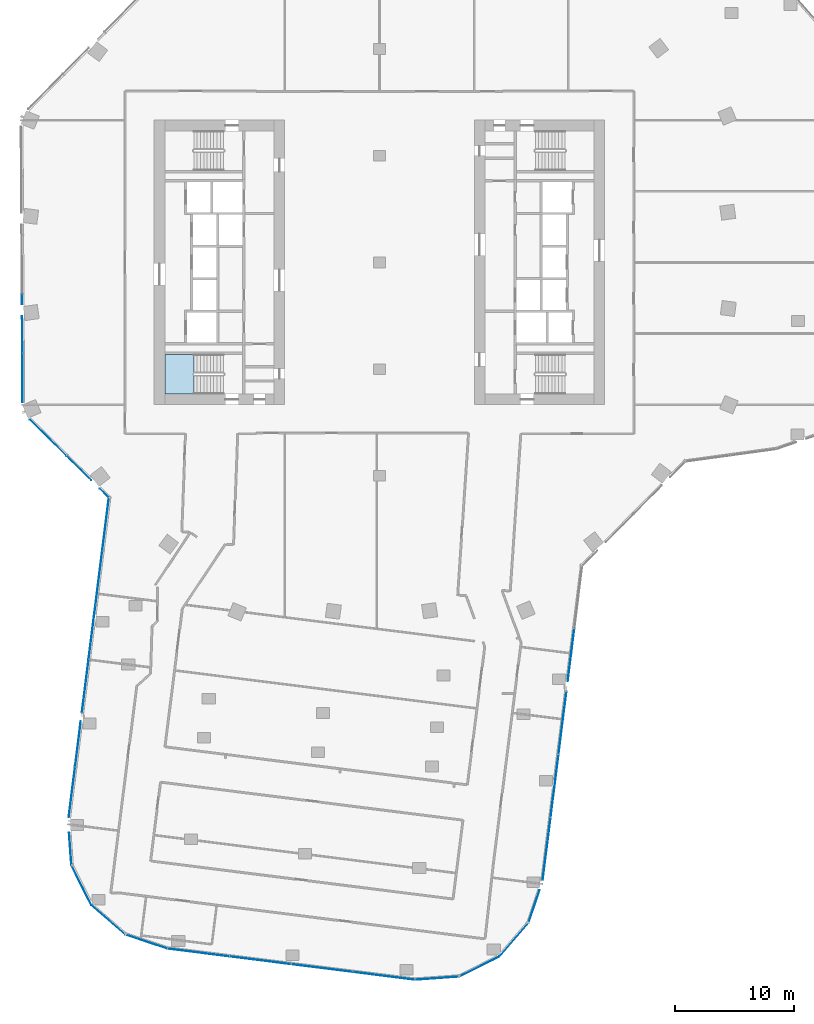
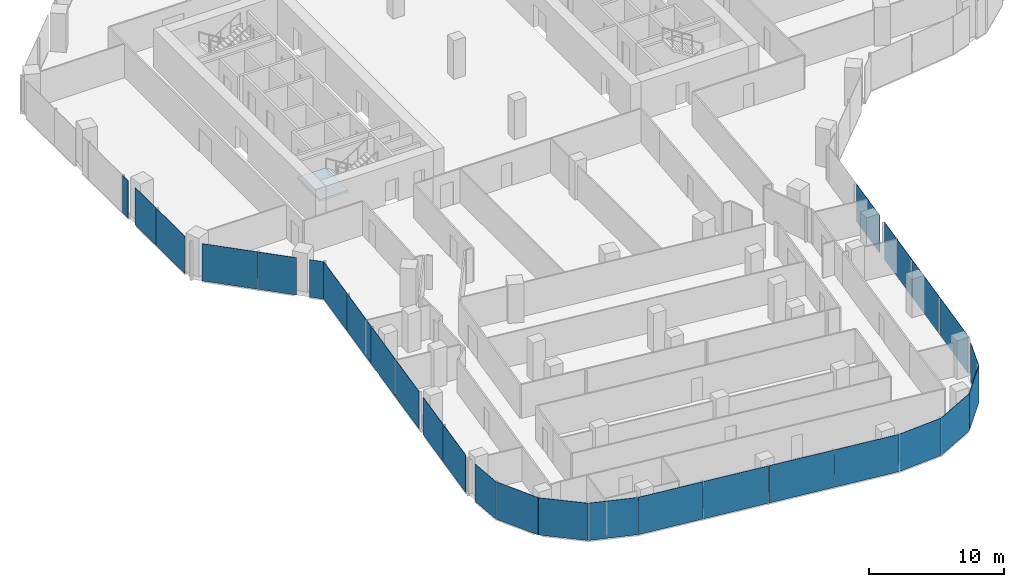
# One storey, part 13 of 27: 28 plates, 1 slab, 14 elements without a shape of their own.
"""IFC4 building model written with IfcOpenShell, lengths in metres."""

import ifcopenshell
import ifcopenshell.guid

model = None  # the IFC model being written
_history = None  # IfcOwnerHistory: only IFC2X3 demands one
_inside = {}  # id of a spatial element -> (the spatial element, [elements in it])
_under = {}  # id of a project, library or spatial element -> (it, [spatial elements below it])
_declared = {}  # id of a project -> (the project, [libraries it declares])
_typed = {}  # id of a type object -> (the type object, [elements of that type])
_made_of = {}  # id of a material, layer set ... -> (it, [elements and type objects made of it])


def new_model(schema):
    """Start an empty IFC model of exactly this schema.

    Asked for "IFC4X3", IfcOpenShell would pick the latest addendum, in which some entities
    have other attributes; the version numbers below select the first issue.
    IFC2X3 requires an IfcOwnerHistory on every rooted entity: one is made here for all.
    """
    global model, _history
    if schema == "IFC4X3":
        model = ifcopenshell.file(schema_version=(4, 3, 0, 0))
    else:
        model = ifcopenshell.file(schema=schema)
    _inside.clear()
    _under.clear()
    _declared.clear()
    _typed.clear()
    _made_of.clear()
    _history = None
    if model.schema == "IFC2X3":
        org = make("IfcOrganization", Name="unknown")
        user = make(
            "IfcPersonAndOrganization",
            ThePerson=make("IfcPerson", FamilyName="unknown"),
            TheOrganization=org,
        )
        app = make(
            "IfcApplication",
            ApplicationDeveloper=org,
            Version="unknown",
            ApplicationFullName="unknown",
            ApplicationIdentifier="unknown",
        )
        _history = make(
            "IfcOwnerHistory",
            OwningUser=user,
            OwningApplication=app,
            ChangeAction="ADDED",
            CreationDate=0,
        )
    return model


def make(cls, **values):
    """One entity of the class cls with the attributes given. An attribute that is None is left unset."""
    return model.create_entity(
        cls, **{name: value for name, value in values.items() if value is not None}
    )


def rooted(cls, **values):
    """An entity with a GlobalId (a new one), such as an element, a storey or a relation."""
    return make(cls, GlobalId=ifcopenshell.guid.new(), OwnerHistory=_history, **values)


def si_unit(unit_type, name, prefix=None):
    """IfcSIUnit, for example si_unit("LENGTHUNIT", "METRE", prefix="MILLI")."""
    return make("IfcSIUnit", UnitType=unit_type, Prefix=prefix, Name=name)


def assignment(units):
    """IfcUnitAssignment: the units of a project."""
    return None if units is None else make("IfcUnitAssignment", Units=units)


def point(xyz):
    """IfcCartesianPoint."""
    return None if xyz is None else make("IfcCartesianPoint", Coordinates=xyz)


def direction(xyz):
    """IfcDirection."""
    return None if xyz is None else make("IfcDirection", DirectionRatios=xyz)


def frame(location, z_axis=None, x_axis=None):
    """IfcAxis2Placement3D, a coordinate frame: its origin and axes. An axis left out is left unset."""
    return make(
        "IfcAxis2Placement3D",
        Location=point(location),
        Axis=direction(z_axis),
        RefDirection=direction(x_axis),
    )


def frame_2d(location, x_axis=None):
    """IfcAxis2Placement2D, a coordinate frame in the plane: its origin and x axis."""
    return make(
        "IfcAxis2Placement2D", Location=point(location), RefDirection=direction(x_axis)
    )


def origin():
    """The frame at (0, 0, 0) with its axes left unset."""
    return frame((0.0, 0.0, 0.0))


def origin_2d():
    """The frame at (0, 0) in the plane with its x axis left unset."""
    return frame_2d((0.0, 0.0))


def place(relative_to, where):
    """IfcLocalPlacement: puts the frame where relative to a parent placement (None: the world)."""
    return make(
        "IfcLocalPlacement", PlacementRelTo=relative_to, RelativePlacement=where
    )


def context(
    kind, dimensions, precision=None, world=None, true_north=None, identifier=None
):
    """IfcGeometricRepresentationContext, for example the 3D "Model" context."""
    return make(
        "IfcGeometricRepresentationContext",
        ContextIdentifier=identifier,
        ContextType=kind,
        CoordinateSpaceDimension=dimensions,
        Precision=precision,
        WorldCoordinateSystem=world,
        TrueNorth=true_north,
    )


def subcontext(parent, identifier, kind, view, scale=None):
    """IfcGeometricRepresentationSubContext, for example "Body" below "Model"."""
    return make(
        "IfcGeometricRepresentationSubContext",
        ContextIdentifier=identifier,
        ContextType=kind,
        ParentContext=parent,
        TargetScale=scale,
        TargetView=view,
    )


def project(units=None, contexts=None):
    """IfcProject with its units and contexts."""
    return rooted(
        "IfcProject",
        Name="project",
        RepresentationContexts=contexts,
        UnitsInContext=assignment(units),
    )


def spatial(cls, under=None, at=None, **own):
    """A site, building, storey or space (cls), placed at a placement, below another one or the project."""
    s = rooted(cls, ObjectPlacement=at, **own)
    if under is not None:
        _under.setdefault(under.id(), (under, []))[1].append(s)
    return s


def polyline(points):
    """IfcPolyline through the points."""
    return make("IfcPolyline", Points=[point(p) for p in points])


def profile(cls, at=None, kind="AREA", **sizes):
    """A parametric profile (cls). Its sizes go by their IFC names, for example OverallWidth=200.0."""
    return make(cls, ProfileType=kind, Position=at, **sizes)


def rectangle(**sizes):
    """IfcRectangleProfileDef."""
    return profile("IfcRectangleProfileDef", **sizes)


def outline(outer, holes=None, kind="AREA"):
    """IfcArbitraryClosedProfileDef: a profile drawn as a closed curve; with holes, ...WithVoids."""
    if holes is None:
        return make("IfcArbitraryClosedProfileDef", ProfileType=kind, OuterCurve=outer)
    return make(
        "IfcArbitraryProfileDefWithVoids",
        ProfileType=kind,
        OuterCurve=outer,
        InnerCurves=holes,
    )


def extrude(swept, where, along, depth):
    """IfcExtrudedAreaSolid: the profile swept, set in the frame where, extruded along a direction by depth."""
    return make(
        "IfcExtrudedAreaSolid",
        SweptArea=swept,
        Position=where,
        ExtrudedDirection=direction(along),
        Depth=depth,
    )


def shape(context_of_items, identifier, shape_type, items):
    """IfcShapeRepresentation: the items that make up one representation, for example the "Body"."""
    return make(
        "IfcShapeRepresentation",
        ContextOfItems=context_of_items,
        RepresentationIdentifier=identifier,
        RepresentationType=shape_type,
        Items=items,
    )


def material(Name=None, Category=None):
    """IfcMaterial."""
    return make("IfcMaterial", Name=Name, Category=Category)


def layer(
    of_material, thickness, ventilated=None, Name=None, Category=None, Priority=None
):
    """IfcMaterialLayer: one layer of a wall or slab, of a material (None: an air gap)."""
    return make(
        "IfcMaterialLayer",
        Material=of_material,
        LayerThickness=thickness,
        IsVentilated=ventilated,
        Name=Name,
        Category=Category,
        Priority=Priority,
    )


def layer_set(layers, Name=None):
    """IfcMaterialLayerSet."""
    return make("IfcMaterialLayerSet", MaterialLayers=layers, LayerSetName=Name)


def made_of(thing, what):
    """Note that an element or type object is made of a material, layer set ...; save() writes the relation."""
    if what is not None:
        _made_of.setdefault(what.id(), (what, []))[1].append(thing)
    return thing


def type_object(cls, material=None, **own):
    """A type object (cls), such as IfcWallType, which elements share."""
    return made_of(rooted(cls, **own), material)


def element(
    cls,
    number,
    at=None,
    inside=None,
    cuts=None,
    type_object=None,
    material=None,
    context=None,
    identifier="Body",
    shape_type=None,
    held_by="IfcProductDefinitionShape",
    body=None,
    shapes=None,
    **own,
):
    """One element of the class cls, such as IfcWall. Its Tag is "e" and its number.

    at: its placement. inside: the storey or other place that contains it. cuts: it is an
    opening in that element (IfcRelVoidsElement). A single representation is given by context,
    identifier, shape_type and body (its items); several are given by shapes. held_by: the class
    of the entity that holds the representations. save() writes the other relations.
    """
    e = rooted(cls, Tag="e%d" % number, ObjectPlacement=at, **own)
    if body is not None:
        shapes = [shape(context, identifier, shape_type, body)]
    if shapes is not None:
        e.Representation = make(held_by, Representations=shapes)
    if inside is not None:
        _inside.setdefault(inside.id(), (inside, []))[1].append(e)
    if cuts is not None:
        rooted(
            "IfcRelVoidsElement", RelatingBuildingElement=cuts, RelatedOpeningElement=e
        )
    if type_object is not None:
        _typed.setdefault(type_object.id(), (type_object, []))[1].append(e)
    return made_of(e, material)


def aggregate(whole, parts):
    """IfcRelAggregates: a whole, such as a stair, and the parts it consists of."""
    return rooted("IfcRelAggregates", RelatingObject=whole, RelatedObjects=parts)


def save(model, path):
    """Write the relations noted so far, then the file.

    IfcRelAggregates (storeys below a building ...), IfcRelContainedInSpatialStructure (elements
    in a storey), IfcRelDefinesByType, IfcRelAssociatesMaterial and IfcRelDeclares: one each for
    every whole, place, type object, material and project.
    """
    for whole, parts in _under.values():
        aggregate(whole, parts)
    for where, things in _inside.values():
        rooted(
            "IfcRelContainedInSpatialStructure",
            RelatedElements=things,
            RelatingStructure=where,
        )
    for kind, things in _typed.values():
        rooted("IfcRelDefinesByType", RelatedObjects=things, RelatingType=kind)
    for what, things in _made_of.values():
        rooted("IfcRelAssociatesMaterial", RelatedObjects=things, RelatingMaterial=what)
    for by, libraries in _declared.values():
        rooted("IfcRelDeclares", RelatingContext=by, RelatedDefinitions=libraries)
    model.write(path)


model = new_model("IFC4")

# Units and contexts
model_context = context("Model", 3, precision=1e-05, world=origin(), true_north=direction((0.0, 1.0)))
body_context = subcontext(model_context, "Body", "Model", "MODEL_VIEW")
ifc_project = project(units=[si_unit("LENGTHUNIT", "METRE"), si_unit("AREAUNIT", "SQUARE_METRE"), si_unit("VOLUMEUNIT", "CUBIC_METRE"), si_unit("PLANEANGLEUNIT", "RADIAN"), si_unit("MASSUNIT", "GRAM", prefix="KILO")], contexts=[model_context])

# Site, building, storey
site_placement = place(None, origin())
site = spatial("IfcSite", under=ifc_project, at=site_placement, CompositionType="ELEMENT")
building_placement = place(site_placement, origin())
building = spatial("IfcBuilding", under=site, at=building_placement, Name="Orlundy Tower", CompositionType="ELEMENT")
storey_placement = place(building_placement, frame((0.0, 0.0, 195.60009765625)))
storey = spatial("IfcBuildingStorey", under=building, at=storey_placement, Name="L51", CompositionType="ELEMENT", Elevation=195.60009765625)

# Curtain wall, plates
ifc_material_1 = material(Name="Aluminium bronze anodised", Category="aluminium")
curtain_wall_type = type_object("IfcCurtainWallType", Name="CW1 wall", PredefinedType="NOTDEFINED", material=ifc_material_1)
curtain_wall_1_placement = place(storey_placement, origin())
curtain_wall_1 = element("IfcCurtainWall", 1, at=curtain_wall_1_placement, inside=storey, type_object=curtain_wall_type, Name="CW1 run 00", PredefinedType="NOTDEFINED")
ifc_material_2 = material(Name="Tinted glass", Category="glass")
ifc_layer_1 = layer(ifc_material_2, 0.031982421875)
ifc_layer_set_1 = layer_set([ifc_layer_1], Name="CW1 glass panel 32")
plate_type = type_object("IfcPlateType", Name="CW1 glass panel 32", PredefinedType="CURTAIN_PANEL", material=ifc_layer_set_1)
plate_1_placement = place(storey_placement, frame((-25.94189453125, -44.684814453125, -0.300048828125), z_axis=(0.0, 0.0, 1.0), x_axis=(0.124763360518, 0.992186526754, 0.0)))
plate_1 = element("IfcPlate", 2, at=plate_1_placement, type_object=plate_type, Name="CW1 panel", PredefinedType="CURTAIN_PANEL", context=body_context, shape_type="SweptSolid", body=[
    extrude(rectangle(XDim=4.27197265625, YDim=0.031982421875, at=origin_2d()), origin(), (0.0, 0.0, 1.0), 3.3798828125),
])
plate_2_placement = place(storey_placement, frame((-25.4306640625, -40.618896484375, -0.300048828125), z_axis=(0.0, 0.0, 1.0), x_axis=(0.124763360518, 0.992186526754, 0.0)))
plate_2 = element("IfcPlate", 3, at=plate_2_placement, type_object=plate_type, Name="CW1 panel", PredefinedType="CURTAIN_PANEL", context=body_context, shape_type="SweptSolid", body=[
    extrude(rectangle(XDim=3.823974609375, YDim=0.031982421875, at=origin_2d()), origin(), (0.0, 0.0, 1.0), 3.3798828125),
])
plate_3_placement = place(storey_placement, frame((-24.8134765625, -35.71142578125, -0.300048828125), z_axis=(0.0, 0.0, 1.0), x_axis=(0.124763360518, 0.992186526754, 0.0)))
plate_3 = element("IfcPlate", 4, at=plate_3_placement, type_object=plate_type, Name="CW1 panel", PredefinedType="CURTAIN_PANEL", context=body_context, shape_type="SweptSolid", body=[
    extrude(rectangle(XDim=4.53857421875, YDim=0.031982421875, at=origin_2d()), origin(), (0.0, 0.0, 1.0), 3.3798828125),
])
plate_4_placement = place(storey_placement, frame((-24.240966796875, -31.15869140625, -0.300048828125), z_axis=(0.0, 0.0, 1.0), x_axis=(0.124763360518, 0.992186526754, 0.0)))
plate_4 = element("IfcPlate", 5, at=plate_4_placement, type_object=plate_type, Name="CW1 panel", PredefinedType="CURTAIN_PANEL", context=body_context, shape_type="SweptSolid", body=[
    extrude(rectangle(XDim=4.53857421875, YDim=0.031982421875, at=origin_2d()), origin(), (0.0, 0.0, 1.0), 3.3798828125),
])
plate_5_placement = place(storey_placement, frame((-23.66845703125, -26.605712890625, -0.300048828125), z_axis=(0.0, 0.0, 1.0), x_axis=(0.124763360518, 0.992186526754, 0.0)))
plate_5 = element("IfcPlate", 6, at=plate_5_placement, type_object=plate_type, Name="CW1 panel", PredefinedType="CURTAIN_PANEL", context=body_context, shape_type="SweptSolid", body=[
    extrude(rectangle(XDim=4.53857421875, YDim=0.031982421875, at=origin_2d()), origin(), (0.0, 0.0, 1.0), 3.3798828125),
])
plate_6_placement = place(storey_placement, frame((-23.099365234375, -22.08056640625, -0.300048828125), z_axis=(0.0, 0.0, 1.0), x_axis=(0.124763360518, 0.992186526754, 0.0)))
plate_6 = element("IfcPlate", 7, at=plate_6_placement, type_object=plate_type, Name="CW1 panel", PredefinedType="CURTAIN_PANEL", context=body_context, shape_type="SweptSolid", body=[
    extrude(rectangle(XDim=4.48291015625, YDim=0.031982421875, at=origin_2d()), origin(), (0.0, 0.0, 1.0), 3.3798828125),
])
aggregate(curtain_wall_1, [plate_1, plate_2, plate_3, plate_4, plate_5, plate_6])

curtain_wall_2_placement = place(storey_placement, origin())
curtain_wall_2 = element("IfcCurtainWall", 8, at=curtain_wall_2_placement, inside=storey, type_object=curtain_wall_type, Name="CW1 run 01", PredefinedType="NOTDEFINED")
plate_7_placement = place(storey_placement, frame((-23.206298828125, -19.474853515625, -0.300048828125), z_axis=(0.0, 0.0, 1.0), x_axis=(-0.711197941896, 0.702991811789, 0.0)))
plate_7 = element("IfcPlate", 9, at=plate_7_placement, type_object=plate_type, Name="CW1 panel", PredefinedType="CURTAIN_PANEL", context=body_context, shape_type="SweptSolid", body=[
    extrude(rectangle(XDim=1.086669921875, YDim=0.031982421875, at=origin_2d()), origin(), (0.0, 0.0, 1.0), 3.3798828125),
])
plate_8_placement = place(storey_placement, frame((-25.350830078125, -17.35498046875, -0.300048828125), z_axis=(0.0, 0.0, 1.0), x_axis=(-0.711197941896, 0.702991811789, 0.0)))
plate_8 = element("IfcPlate", 10, at=plate_8_placement, type_object=plate_type, Name="CW1 panel", PredefinedType="CURTAIN_PANEL", context=body_context, shape_type="SweptSolid", body=[
    extrude(rectangle(XDim=2.90673828125, YDim=0.031982421875, at=origin_2d()), origin(), (0.0, 0.0, 1.0), 3.3798828125),
])
plate_9_placement = place(storey_placement, frame((-27.947509765625, -14.788330078125, -0.300048828125), z_axis=(0.0, 0.0, 1.0), x_axis=(-0.711197941896, 0.702991811789, 0.0)))
plate_9 = element("IfcPlate", 11, at=plate_9_placement, type_object=plate_type, Name="CW1 panel", PredefinedType="CURTAIN_PANEL", context=body_context, shape_type="SweptSolid", body=[
    extrude(rectangle(XDim=4.29541015625, YDim=0.031982421875, at=origin_2d()), origin(), (0.0, 0.0, 1.0), 3.3798828125),
])
aggregate(curtain_wall_2, [plate_7, plate_8, plate_9])

curtain_wall_3_placement = place(storey_placement, origin())
curtain_wall_3 = element("IfcCurtainWall", 12, at=curtain_wall_3_placement, inside=storey, type_object=curtain_wall_type, Name="CW1 run 02", PredefinedType="NOTDEFINED")
plate_10_placement = place(storey_placement, frame((-30.107666015625, -9.72998046875, -0.300048828125), z_axis=(0.0, 0.0, 1.0), x_axis=(-0.005834206419, 0.999982980873, 0.0)))
plate_10 = element("IfcPlate", 13, at=plate_10_placement, type_object=plate_type, Name="CW1 panel", PredefinedType="CURTAIN_PANEL", context=body_context, shape_type="SweptSolid", body=[
    extrude(rectangle(XDim=4.1474609375, YDim=0.031982421875, at=origin_2d()), origin(), (0.0, 0.0, 1.0), 3.3798828125),
])
plate_11_placement = place(storey_placement, frame((-30.129150390625, -6.078857421875, -0.300048828125), z_axis=(0.0, 0.0, 1.0), x_axis=(-0.005834206419, 0.999982980873, 0.0)))
plate_11 = element("IfcPlate", 14, at=plate_11_placement, type_object=plate_type, Name="CW1 panel", PredefinedType="CURTAIN_PANEL", context=body_context, shape_type="SweptSolid", body=[
    extrude(rectangle(XDim=3.054931640625, YDim=0.031982421875, at=origin_2d()), origin(), (0.0, 0.0, 1.0), 3.3798828125),
])
plate_12_placement = place(storey_placement, frame((-30.146484375, -3.109130859375, -0.300048828125), z_axis=(0.0, 0.0, 1.0), x_axis=(-0.005834206419, 0.999982980873, 0.0)))
plate_12 = element("IfcPlate", 15, at=plate_12_placement, type_object=plate_type, Name="CW1 panel", PredefinedType="CURTAIN_PANEL", context=body_context, shape_type="SweptSolid", body=[
    extrude(rectangle(XDim=0.8466796875, YDim=0.031982421875, at=origin_2d()), origin(), (0.0, 0.0, 1.0), 3.3798828125),
])
aggregate(curtain_wall_3, [plate_10, plate_11, plate_12])

curtain_wall_4_placement = place(storey_placement, origin())
curtain_wall_4 = element("IfcCurtainWall", 16, at=curtain_wall_4_placement, inside=storey, type_object=curtain_wall_type, Name="CW1 run 018", PredefinedType="NOTDEFINED")
plate_13_placement = place(storey_placement, frame((16.15966796875, -33.10693359375, -0.300048828125), z_axis=(0.0, 0.0, 1.0), x_axis=(-0.124742379758, -0.992189164773, 0.0)))
plate_13 = element("IfcPlate", 17, at=plate_13_placement, type_object=plate_type, Name="CW1 panel", PredefinedType="CURTAIN_PANEL", context=body_context, shape_type="SweptSolid", body=[
    extrude(rectangle(XDim=4.468505859375, YDim=0.031982421875, at=origin_2d()), origin(), (0.0, 0.0, 1.0), 3.3798828125),
])
plate_14_placement = place(storey_placement, frame((15.439208984375, -38.83740234375, -0.300048828125), z_axis=(0.0, 0.0, 1.0), x_axis=(-0.124742379758, -0.992189164773, 0.0)))
plate_14 = element("IfcPlate", 18, at=plate_14_placement, type_object=plate_type, Name="CW1 panel", PredefinedType="CURTAIN_PANEL", context=body_context, shape_type="SweptSolid", body=[
    extrude(rectangle(XDim=5.306640625, YDim=0.031982421875, at=origin_2d()), origin(), (0.0, 0.0, 1.0), 3.3798828125),
])
plate_15_placement = place(storey_placement, frame((14.77099609375, -44.15234375, -0.300048828125), z_axis=(0.0, 0.0, 1.0), x_axis=(-0.124742379758, -0.992189164773, 0.0)))
plate_15 = element("IfcPlate", 19, at=plate_15_placement, type_object=plate_type, Name="CW1 panel", PredefinedType="CURTAIN_PANEL", context=body_context, shape_type="SweptSolid", body=[
    extrude(rectangle(XDim=5.306640625, YDim=0.031982421875, at=origin_2d()), origin(), (0.0, 0.0, 1.0), 3.3798828125),
])
plate_16_placement = place(storey_placement, frame((14.101806640625, -49.47509765625, -0.300048828125), z_axis=(0.0, 0.0, 1.0), x_axis=(-0.124742379758, -0.992189164773, 0.0)))
plate_16 = element("IfcPlate", 20, at=plate_16_placement, type_object=plate_type, Name="CW1 panel", PredefinedType="CURTAIN_PANEL", context=body_context, shape_type="SweptSolid", body=[
    extrude(rectangle(XDim=5.32275390625, YDim=0.031982421875, at=origin_2d()), origin(), (0.0, 0.0, 1.0), 3.3798828125),
])
aggregate(curtain_wall_4, [plate_13, plate_14, plate_15, plate_16])

# Curtain wall, plate
curtain_wall_5_placement = place(storey_placement, origin())
curtain_wall_5 = element("IfcCurtainWall", 21, at=curtain_wall_5_placement, inside=storey, type_object=curtain_wall_type, Name="CW1 run 019", PredefinedType="NOTDEFINED")
plate_17_placement = place(storey_placement, frame((13.039794921875, -54.323974609375, -0.300048828125), z_axis=(0.0, 0.0, 1.0), x_axis=(-0.315904020179, -0.948791151958, 0.0)))
plate_17 = element("IfcPlate", 22, at=plate_17_placement, type_object=plate_type, Name="CW1 panel", PredefinedType="CURTAIN_PANEL", context=body_context, shape_type="SweptSolid", body=[
    extrude(rectangle(XDim=2.90869140625, YDim=0.031982421875, at=origin_2d()), origin(), (0.0, 0.0, 1.0), 3.3798828125),
])
aggregate(curtain_wall_5, [plate_17])

curtain_wall_6_placement = place(storey_placement, origin())
curtain_wall_6 = element("IfcCurtainWall", 23, at=curtain_wall_6_placement, inside=storey, type_object=curtain_wall_type, Name="CW1 run 020", PredefinedType="NOTDEFINED")
plate_18_placement = place(storey_placement, frame((11.344970703125, -57.12890625, -0.300048828125), z_axis=(0.0, 0.0, 1.0), x_axis=(-0.655002428568, -0.755626772005, 0.0)))
plate_18 = element("IfcPlate", 24, at=plate_18_placement, type_object=plate_type, Name="CW1 panel", PredefinedType="CURTAIN_PANEL", context=body_context, shape_type="SweptSolid", body=[
    extrude(rectangle(XDim=3.772216796875, YDim=0.031982421875, at=origin_2d()), origin(), (0.0, 0.0, 1.0), 3.3798828125),
])
aggregate(curtain_wall_6, [plate_18])

curtain_wall_7_placement = place(storey_placement, origin())
curtain_wall_7 = element("IfcCurtainWall", 25, at=curtain_wall_7_placement, inside=storey, type_object=curtain_wall_type, Name="CW1 run 021", PredefinedType="NOTDEFINED")
plate_19_placement = place(storey_placement, frame((8.4228515625, -59.398193359375, -0.300048828125), z_axis=(0.0, 0.0, 1.0), x_axis=(-0.894265274448, -0.447537282153, 0.0)))
plate_19 = element("IfcPlate", 26, at=plate_19_placement, type_object=plate_type, Name="CW1 panel", PredefinedType="CURTAIN_PANEL", context=body_context, shape_type="SweptSolid", body=[
    extrude(rectangle(XDim=3.772216796875, YDim=0.031982421875, at=origin_2d()), origin(), (0.0, 0.0, 1.0), 3.3798828125),
])
aggregate(curtain_wall_7, [plate_19])

curtain_wall_8_placement = place(storey_placement, origin())
curtain_wall_8 = element("IfcCurtainWall", 27, at=curtain_wall_8_placement, inside=storey, type_object=curtain_wall_type, Name="CW1 run 022", PredefinedType="NOTDEFINED")
plate_20_placement = place(storey_placement, frame((4.8759765625, -60.375, -0.300048828125), z_axis=(0.0, 0.0, 1.0), x_axis=(-0.997460069203, -0.071227876188, 0.0)))
plate_20 = element("IfcPlate", 28, at=plate_20_placement, type_object=plate_type, Name="CW1 panel", PredefinedType="CURTAIN_PANEL", context=body_context, shape_type="SweptSolid", body=[
    extrude(rectangle(XDim=3.72998046875, YDim=0.031982421875, at=origin_2d()), origin(), (0.0, 0.0, 1.0), 3.3798828125),
])
aggregate(curtain_wall_8, [plate_20])

# Curtain wall, plates
curtain_wall_9_placement = place(storey_placement, origin())
curtain_wall_9 = element("IfcCurtainWall", 29, at=curtain_wall_9_placement, inside=storey, type_object=curtain_wall_type, Name="CW1 run 023", PredefinedType="NOTDEFINED")
plate_21_placement = place(storey_placement, frame((0.3779296875, -60.18115234375, -0.300048828125), z_axis=(0.0, 0.0, 1.0), x_axis=(-0.992186768434, 0.12476143853, 0.0)))
plate_21 = element("IfcPlate", 30, at=plate_21_placement, type_object=plate_type, Name="CW1 panel", PredefinedType="CURTAIN_PANEL", context=body_context, shape_type="SweptSolid", body=[
    extrude(rectangle(XDim=5.216064453125, YDim=0.031982421875, at=origin_2d()), origin(), (0.0, 0.0, 1.0), 3.3798828125),
])
plate_22_placement = place(storey_placement, frame((-4.8388671875, -59.525146484375, -0.300048828125), z_axis=(0.0, 0.0, 1.0), x_axis=(-0.992186768434, 0.12476143853, 0.0)))
plate_22 = element("IfcPlate", 31, at=plate_22_placement, type_object=plate_type, Name="CW1 panel", PredefinedType="CURTAIN_PANEL", context=body_context, shape_type="SweptSolid", body=[
    extrude(rectangle(XDim=5.199951171875, YDim=0.031982421875, at=origin_2d()), origin(), (0.0, 0.0, 1.0), 3.3798828125),
])
plate_23_placement = place(storey_placement, frame((-10.0478515625, -58.8701171875, -0.300048828125), z_axis=(0.0, 0.0, 1.0), x_axis=(-0.992186768434, 0.12476143853, 0.0)))
plate_23 = element("IfcPlate", 32, at=plate_23_placement, type_object=plate_type, Name="CW1 panel", PredefinedType="CURTAIN_PANEL", context=body_context, shape_type="SweptSolid", body=[
    extrude(rectangle(XDim=5.199951171875, YDim=0.031982421875, at=origin_2d()), origin(), (0.0, 0.0, 1.0), 3.3798828125),
])
plate_24_placement = place(storey_placement, frame((-15.264892578125, -58.214111328125, -0.300048828125), z_axis=(0.0, 0.0, 1.0), x_axis=(-0.992186768434, 0.12476143853, 0.0)))
plate_24 = element("IfcPlate", 33, at=plate_24_placement, type_object=plate_type, Name="CW1 panel", PredefinedType="CURTAIN_PANEL", context=body_context, shape_type="SweptSolid", body=[
    extrude(rectangle(XDim=5.216064453125, YDim=0.031982421875, at=origin_2d()), origin(), (0.0, 0.0, 1.0), 3.3798828125),
])
aggregate(curtain_wall_9, [plate_21, plate_22, plate_23, plate_24])

# Curtain wall, plate
curtain_wall_10_placement = place(storey_placement, origin())
curtain_wall_10 = element("IfcCurtainWall", 34, at=curtain_wall_10_placement, inside=storey, type_object=curtain_wall_type, Name="CW1 run 024", PredefinedType="NOTDEFINED")
plate_25_placement = place(storey_placement, frame((-19.671142578125, -57.28857421875, -0.300048828125), z_axis=(0.0, 0.0, 1.0), x_axis=(-0.948791151958, 0.315904020179, 0.0)))
plate_25 = element("IfcPlate", 35, at=plate_25_placement, type_object=plate_type, Name="CW1 panel", PredefinedType="CURTAIN_PANEL", context=body_context, shape_type="SweptSolid", body=[
    extrude(rectangle(XDim=3.73046875, YDim=0.031982421875, at=origin_2d()), origin(), (0.0, 0.0, 1.0), 3.3798828125),
])
aggregate(curtain_wall_10, [plate_25])

curtain_wall_11_placement = place(storey_placement, origin())
curtain_wall_11 = element("IfcCurtainWall", 36, at=curtain_wall_11_placement, inside=storey, type_object=curtain_wall_type, Name="CW1 run 025", PredefinedType="NOTDEFINED")
plate_26_placement = place(storey_placement, frame((-22.865966796875, -55.4638671875, -0.300048828125), z_axis=(0.0, 0.0, 1.0), x_axis=(-0.755626772005, 0.655002428568, 0.0)))
plate_26 = element("IfcPlate", 37, at=plate_26_placement, type_object=plate_type, Name="CW1 panel", PredefinedType="CURTAIN_PANEL", context=body_context, shape_type="SweptSolid", body=[
    extrude(rectangle(XDim=3.77197265625, YDim=0.031982421875, at=origin_2d()), origin(), (0.0, 0.0, 1.0), 3.3798828125),
])
aggregate(curtain_wall_11, [plate_26])

curtain_wall_12_placement = place(storey_placement, origin())
curtain_wall_12 = element("IfcCurtainWall", 38, at=curtain_wall_12_placement, inside=storey, type_object=curtain_wall_type, Name="CW1 run 026", PredefinedType="NOTDEFINED")
plate_27_placement = place(storey_placement, frame((-25.13525390625, -52.54248046875, -0.300048828125), z_axis=(0.0, 0.0, 1.0), x_axis=(-0.447645268798, 0.894211224109, 0.0)))
plate_27 = element("IfcPlate", 39, at=plate_27_placement, type_object=plate_type, Name="CW1 panel", PredefinedType="CURTAIN_PANEL", context=body_context, shape_type="SweptSolid", body=[
    extrude(rectangle(XDim=3.771240234375, YDim=0.031982421875, at=origin_2d()), origin(), (0.0, 0.0, 1.0), 3.3798828125),
])
aggregate(curtain_wall_12, [plate_27])

curtain_wall_13_placement = place(storey_placement, origin())
curtain_wall_13 = element("IfcCurtainWall", 40, at=curtain_wall_13_placement, inside=storey, type_object=curtain_wall_type, Name="CW1 run 027", PredefinedType="NOTDEFINED")
plate_28_placement = place(storey_placement, frame((-26.077392578125, -49.480224609375, -0.300048828125), z_axis=(0.0, 0.0, 1.0), x_axis=(-0.071208712685, 0.997461437469, 0.0)))
plate_28 = element("IfcPlate", 41, at=plate_28_placement, type_object=plate_type, Name="CW1 panel", PredefinedType="CURTAIN_PANEL", context=body_context, shape_type="SweptSolid", body=[
    extrude(rectangle(XDim=2.75927734375, YDim=0.031982421875, at=origin_2d()), origin(), (0.0, 0.0, 1.0), 3.3798828125),
])
aggregate(curtain_wall_13, [plate_28])

# Stair, slab
ifc_material_3 = material(Name="Concrete C50/60", Category="concrete")
stair_type = type_object("IfcStairType", Name="Exit Stair 20 risers", PredefinedType="HALF_TURN_STAIR", material=ifc_material_3)
stair_placement = place(storey_placement, origin())
stair = element("IfcStair", 42, at=stair_placement, inside=storey, type_object=stair_type, Name="L51 Exit Stair ST-W2", PredefinedType="HALF_TURN_STAIR")
ifc_material_4 = material(Name="Concrete C50/60", Category="concrete")
ifc_layer_2 = layer(ifc_material_4, 0.199951171875)
ifc_layer_set_2 = layer_set([ifc_layer_2], Name="Exit Stair Landing")
slab_type = type_object("IfcSlabType", Name="Exit Stair Landing", PredefinedType="LANDING", material=ifc_layer_set_2)
slab_placement = place(storey_placement, frame((0.0, 0.0, 1.5498046875)))
slab = element("IfcSlab", 43, at=slab_placement, type_object=slab_type, Name="ST-W2 landing 1", PredefinedType="LANDING", context=body_context, shape_type="SweptSolid", body=[
    extrude(outline(polyline([(-15.659912109375, -7.75), (-18.10009765625, -7.75), (-18.10009765625, -11.10009765625), (-15.659912109375, -11.10009765625), (-15.659912109375, -7.75)])), origin(), (0.0, 0.0, 1.0), 0.2001953125),
])
aggregate(stair, [slab])

save(model, "model.ifc")
